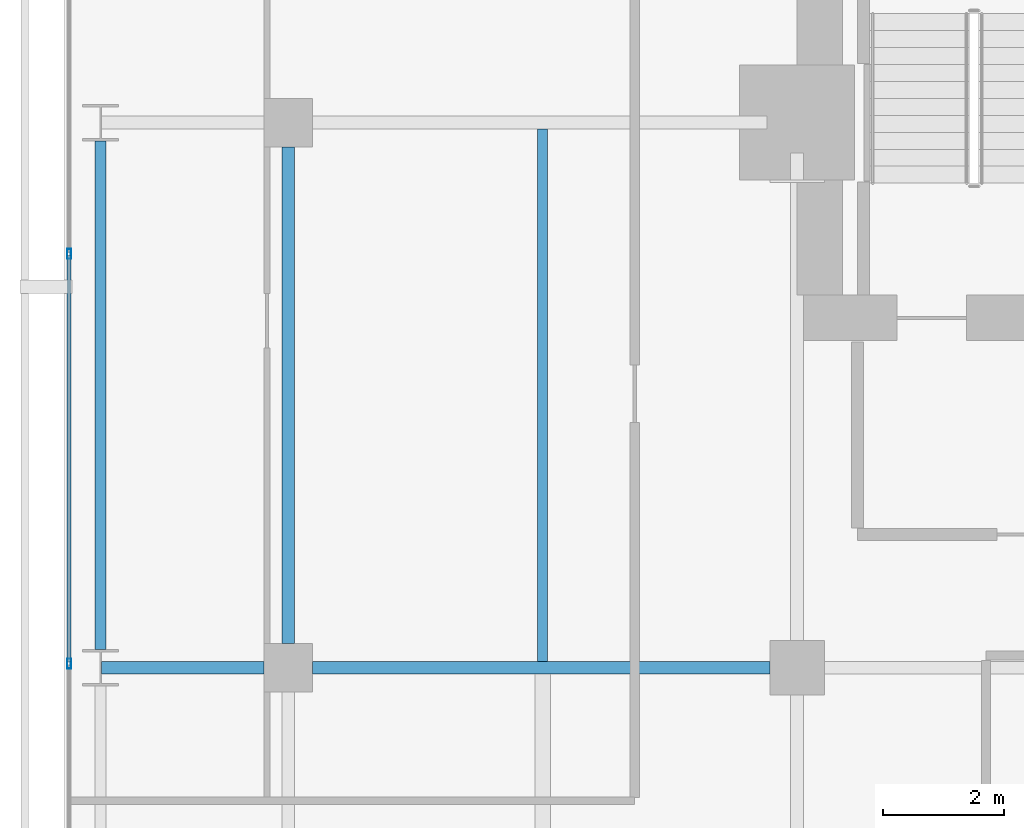
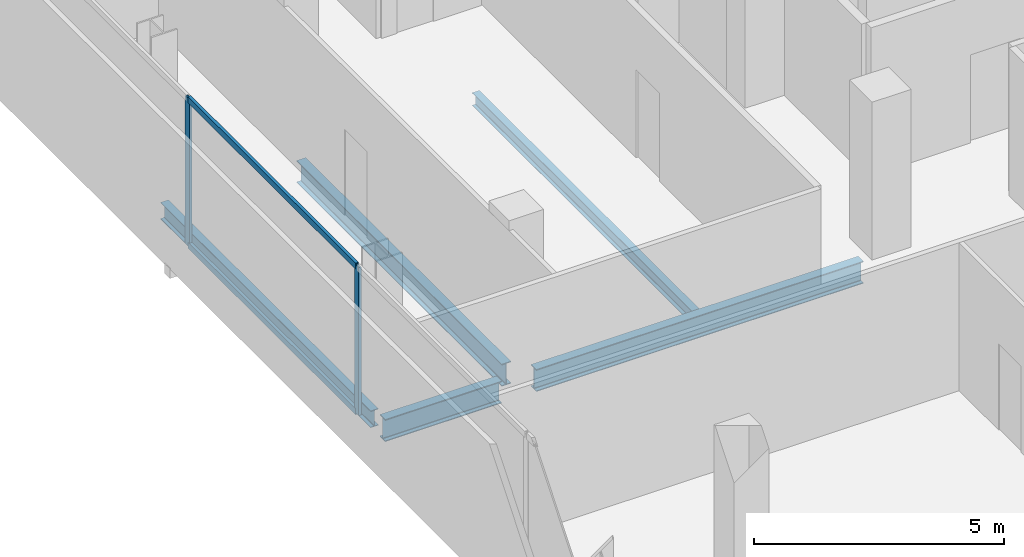
# One storey, part 18 of 33: 5 beams, 4 members, 1 element without a shape of its own.
"""IFC4 building model written with IfcOpenShell, lengths in metres."""

import ifcopenshell
import ifcopenshell.guid

model = None  # the IFC model being written
_history = None  # IfcOwnerHistory: only IFC2X3 demands one
_inside = {}  # id of a spatial element -> (the spatial element, [elements in it])
_under = {}  # id of a project, library or spatial element -> (it, [spatial elements below it])
_declared = {}  # id of a project -> (the project, [libraries it declares])
_typed = {}  # id of a type object -> (the type object, [elements of that type])
_made_of = {}  # id of a material, layer set ... -> (it, [elements and type objects made of it])


def new_model(schema):
    """Start an empty IFC model of exactly this schema.

    Asked for "IFC4X3", IfcOpenShell would pick the latest addendum, in which some entities
    have other attributes; the version numbers below select the first issue.
    IFC2X3 requires an IfcOwnerHistory on every rooted entity: one is made here for all.
    """
    global model, _history
    if schema == "IFC4X3":
        model = ifcopenshell.file(schema_version=(4, 3, 0, 0))
    else:
        model = ifcopenshell.file(schema=schema)
    _inside.clear()
    _under.clear()
    _declared.clear()
    _typed.clear()
    _made_of.clear()
    _history = None
    if model.schema == "IFC2X3":
        org = make("IfcOrganization", Name="unknown")
        user = make(
            "IfcPersonAndOrganization",
            ThePerson=make("IfcPerson", FamilyName="unknown"),
            TheOrganization=org,
        )
        app = make(
            "IfcApplication",
            ApplicationDeveloper=org,
            Version="unknown",
            ApplicationFullName="unknown",
            ApplicationIdentifier="unknown",
        )
        _history = make(
            "IfcOwnerHistory",
            OwningUser=user,
            OwningApplication=app,
            ChangeAction="ADDED",
            CreationDate=0,
        )
    return model


def make(cls, **values):
    """One entity of the class cls with the attributes given. An attribute that is None is left unset."""
    return model.create_entity(
        cls, **{name: value for name, value in values.items() if value is not None}
    )


def rooted(cls, **values):
    """An entity with a GlobalId (a new one), such as an element, a storey or a relation."""
    return make(cls, GlobalId=ifcopenshell.guid.new(), OwnerHistory=_history, **values)


def si_unit(unit_type, name, prefix=None):
    """IfcSIUnit, for example si_unit("LENGTHUNIT", "METRE", prefix="MILLI")."""
    return make("IfcSIUnit", UnitType=unit_type, Prefix=prefix, Name=name)


def assignment(units):
    """IfcUnitAssignment: the units of a project."""
    return None if units is None else make("IfcUnitAssignment", Units=units)


def point(xyz):
    """IfcCartesianPoint."""
    return None if xyz is None else make("IfcCartesianPoint", Coordinates=xyz)


def direction(xyz):
    """IfcDirection."""
    return None if xyz is None else make("IfcDirection", DirectionRatios=xyz)


def frame(location, z_axis=None, x_axis=None):
    """IfcAxis2Placement3D, a coordinate frame: its origin and axes. An axis left out is left unset."""
    return make(
        "IfcAxis2Placement3D",
        Location=point(location),
        Axis=direction(z_axis),
        RefDirection=direction(x_axis),
    )


def frame_2d(location, x_axis=None):
    """IfcAxis2Placement2D, a coordinate frame in the plane: its origin and x axis."""
    return make(
        "IfcAxis2Placement2D", Location=point(location), RefDirection=direction(x_axis)
    )


def origin():
    """The frame at (0, 0, 0) with its axes left unset."""
    return frame((0.0, 0.0, 0.0))


def origin_2d():
    """The frame at (0, 0) in the plane with its x axis left unset."""
    return frame_2d((0.0, 0.0))


def place(relative_to, where):
    """IfcLocalPlacement: puts the frame where relative to a parent placement (None: the world)."""
    return make(
        "IfcLocalPlacement", PlacementRelTo=relative_to, RelativePlacement=where
    )


def context(
    kind, dimensions, precision=None, world=None, true_north=None, identifier=None
):
    """IfcGeometricRepresentationContext, for example the 3D "Model" context."""
    return make(
        "IfcGeometricRepresentationContext",
        ContextIdentifier=identifier,
        ContextType=kind,
        CoordinateSpaceDimension=dimensions,
        Precision=precision,
        WorldCoordinateSystem=world,
        TrueNorth=true_north,
    )


def subcontext(parent, identifier, kind, view, scale=None):
    """IfcGeometricRepresentationSubContext, for example "Body" below "Model"."""
    return make(
        "IfcGeometricRepresentationSubContext",
        ContextIdentifier=identifier,
        ContextType=kind,
        ParentContext=parent,
        TargetScale=scale,
        TargetView=view,
    )


def project(units=None, contexts=None):
    """IfcProject with its units and contexts."""
    return rooted(
        "IfcProject",
        Name="project",
        RepresentationContexts=contexts,
        UnitsInContext=assignment(units),
    )


def spatial(cls, under=None, at=None, **own):
    """A site, building, storey or space (cls), placed at a placement, below another one or the project."""
    s = rooted(cls, ObjectPlacement=at, **own)
    if under is not None:
        _under.setdefault(under.id(), (under, []))[1].append(s)
    return s


def profile(cls, at=None, kind="AREA", **sizes):
    """A parametric profile (cls). Its sizes go by their IFC names, for example OverallWidth=200.0."""
    return make(cls, ProfileType=kind, Position=at, **sizes)


def hollow_rectangle(**sizes):
    """IfcRectangleHollowProfileDef."""
    return profile("IfcRectangleHollowProfileDef", **sizes)


def i_section(**sizes):
    """IfcIShapeProfileDef."""
    return profile("IfcIShapeProfileDef", **sizes)


def extrude(swept, where, along, depth):
    """IfcExtrudedAreaSolid: the profile swept, set in the frame where, extruded along a direction by depth."""
    return make(
        "IfcExtrudedAreaSolid",
        SweptArea=swept,
        Position=where,
        ExtrudedDirection=direction(along),
        Depth=depth,
    )


def shape(context_of_items, identifier, shape_type, items):
    """IfcShapeRepresentation: the items that make up one representation, for example the "Body"."""
    return make(
        "IfcShapeRepresentation",
        ContextOfItems=context_of_items,
        RepresentationIdentifier=identifier,
        RepresentationType=shape_type,
        Items=items,
    )


def material(Name=None, Category=None):
    """IfcMaterial."""
    return make("IfcMaterial", Name=Name, Category=Category)


def layer(
    of_material, thickness, ventilated=None, Name=None, Category=None, Priority=None
):
    """IfcMaterialLayer: one layer of a wall or slab, of a material (None: an air gap)."""
    return make(
        "IfcMaterialLayer",
        Material=of_material,
        LayerThickness=thickness,
        IsVentilated=ventilated,
        Name=Name,
        Category=Category,
        Priority=Priority,
    )


def layer_set(layers, Name=None):
    """IfcMaterialLayerSet."""
    return make("IfcMaterialLayerSet", MaterialLayers=layers, LayerSetName=Name)


def material_profile(
    of_material, cross_section, Name=None, Category=None, Priority=None
):
    """IfcMaterialProfile: a cross section and its material."""
    return make(
        "IfcMaterialProfile",
        Name=Name,
        Material=of_material,
        Profile=cross_section,
        Priority=Priority,
        Category=Category,
    )


def profile_set(profiles, Name=None, composite=None):
    """IfcMaterialProfileSet."""
    return make(
        "IfcMaterialProfileSet",
        Name=Name,
        MaterialProfiles=profiles,
        CompositeProfile=composite,
    )


def made_of(thing, what):
    """Note that an element or type object is made of a material, layer set ...; save() writes the relation."""
    if what is not None:
        _made_of.setdefault(what.id(), (what, []))[1].append(thing)
    return thing


def type_object(cls, material=None, **own):
    """A type object (cls), such as IfcWallType, which elements share."""
    return made_of(rooted(cls, **own), material)


def element(
    cls,
    number,
    at=None,
    inside=None,
    cuts=None,
    type_object=None,
    material=None,
    context=None,
    identifier="Body",
    shape_type=None,
    held_by="IfcProductDefinitionShape",
    body=None,
    shapes=None,
    **own,
):
    """One element of the class cls, such as IfcWall. Its Tag is "e" and its number.

    at: its placement. inside: the storey or other place that contains it. cuts: it is an
    opening in that element (IfcRelVoidsElement). A single representation is given by context,
    identifier, shape_type and body (its items); several are given by shapes. held_by: the class
    of the entity that holds the representations. save() writes the other relations.
    """
    e = rooted(cls, Tag="e%d" % number, ObjectPlacement=at, **own)
    if body is not None:
        shapes = [shape(context, identifier, shape_type, body)]
    if shapes is not None:
        e.Representation = make(held_by, Representations=shapes)
    if inside is not None:
        _inside.setdefault(inside.id(), (inside, []))[1].append(e)
    if cuts is not None:
        rooted(
            "IfcRelVoidsElement", RelatingBuildingElement=cuts, RelatedOpeningElement=e
        )
    if type_object is not None:
        _typed.setdefault(type_object.id(), (type_object, []))[1].append(e)
    return made_of(e, material)


def aggregate(whole, parts):
    """IfcRelAggregates: a whole, such as a stair, and the parts it consists of."""
    return rooted("IfcRelAggregates", RelatingObject=whole, RelatedObjects=parts)


def save(model, path):
    """Write the relations noted so far, then the file.

    IfcRelAggregates (storeys below a building ...), IfcRelContainedInSpatialStructure (elements
    in a storey), IfcRelDefinesByType, IfcRelAssociatesMaterial and IfcRelDeclares: one each for
    every whole, place, type object, material and project.
    """
    for whole, parts in _under.values():
        aggregate(whole, parts)
    for where, things in _inside.values():
        rooted(
            "IfcRelContainedInSpatialStructure",
            RelatedElements=things,
            RelatingStructure=where,
        )
    for kind, things in _typed.values():
        rooted("IfcRelDefinesByType", RelatedObjects=things, RelatingType=kind)
    for what, things in _made_of.values():
        rooted("IfcRelAssociatesMaterial", RelatedObjects=things, RelatingMaterial=what)
    for by, libraries in _declared.values():
        rooted("IfcRelDeclares", RelatingContext=by, RelatedDefinitions=libraries)
    model.write(path)


model = new_model("IFC4")

# Units and contexts
model_context = context("Model", 3, precision=1e-05, world=origin(), true_north=direction((0.0, 1.0)))
body_context = subcontext(model_context, "Body", "Model", "MODEL_VIEW")
ifc_project = project(units=[si_unit("LENGTHUNIT", "METRE"), si_unit("AREAUNIT", "SQUARE_METRE"), si_unit("VOLUMEUNIT", "CUBIC_METRE"), si_unit("PLANEANGLEUNIT", "RADIAN"), si_unit("MASSUNIT", "GRAM", prefix="KILO")], contexts=[model_context])

# Site, building, storey
site_placement = place(None, origin())
site = spatial("IfcSite", under=ifc_project, at=site_placement, CompositionType="ELEMENT")
building_placement = place(site_placement, origin())
building = spatial("IfcBuilding", under=site, at=building_placement, Name="Maruvema Waterfront Hotel and Observation Tower", CompositionType="ELEMENT")
storey_placement = place(building_placement, frame((0.0, 0.0, 204.39990234375)))
storey = spatial("IfcBuildingStorey", under=building, at=storey_placement, Name="L50", CompositionType="ELEMENT", Elevation=204.39990234375)

# Curtain wall, members
ifc_material_1 = material(Name="Anodised bronze aluminium and solar-control low-E IGU", Category="aluminium")
ifc_layer = layer(ifc_material_1, 0.159912109375, Name="Zone 2 Amber Inner Thermal Curtain Wall System CW-03")
ifc_layer_set = layer_set([ifc_layer], Name="Anodised bronze aluminium and solar-control low-E IGU")
curtain_wall_type = type_object("IfcCurtainWallType", Name="Zone 2 Amber Inner Thermal Curtain Wall System CW-03", PredefinedType="USERDEFINED", material=ifc_layer_set)
curtain_wall_placement = place(storey_placement, origin())
curtain_wall = element("IfcCurtainWall", 1, at=curtain_wall_placement, inside=storey, type_object=curtain_wall_type, Name="L50 Curtain Wall CW-L50-W", ObjectType="UNITISED CURTAIN WALL", PredefinedType="USERDEFINED")
ifc_material_2 = material(Name="Anodised architectural bronze aluminium", Category="aluminium")
ifc_material_profile_1 = material_profile(ifc_material_2, hollow_rectangle(XDim=0.070068359375, YDim=0.14990234375, WallThickness=0.00390625, at=origin_2d()), Name="ALU-T70x150")
ifc_profile_set_1 = profile_set([ifc_material_profile_1], Name="Anodised architectural bronze aluminium")
member_type_1 = type_object("IfcMemberType", Name="Curtain Wall Horizontal Transom ALU-T70x150", PredefinedType="USERDEFINED", material=ifc_profile_set_1)
member_1_placement = place(storey_placement, frame((13.179931640625, 42.80322265625, 0.030029296875), z_axis=(0.0, -1.0, 0.0), x_axis=(1.0, 0.0, 0.0)))
member_1 = element("IfcMember", 2, at=member_1_placement, type_object=member_type_1, Name="CW-03 transom 2.1", ObjectType="TRANSOM", PredefinedType="USERDEFINED", context=body_context, shape_type="SweptSolid", body=[
    extrude(hollow_rectangle(XDim=0.070068359375, YDim=0.14990234375, WallThickness=0.00390625, at=origin_2d()), origin(), (0.0, 0.0, 1.0), 6.70654296875),
])
member_2_placement = place(storey_placement, frame((13.179931640625, 42.80322265625, 3.580078125), z_axis=(0.0, -1.0, 0.0), x_axis=(1.0, 0.0, 0.0)))
member_2 = element("IfcMember", 3, at=member_2_placement, type_object=member_type_1, Name="CW-03 transom 2.2", ObjectType="TRANSOM", PredefinedType="USERDEFINED", context=body_context, shape_type="SweptSolid", body=[
    extrude(hollow_rectangle(XDim=0.070068359375, YDim=0.14990234375, WallThickness=0.00390625, at=origin_2d()), origin(), (0.0, 0.0, 1.0), 6.70654296875),
])
ifc_material_3 = material(Name="Anodised architectural bronze aluminium", Category="aluminium")
ifc_material_profile_2 = material_profile(ifc_material_3, hollow_rectangle(XDim=0.06494140625, YDim=0.1650390625, WallThickness=0.00390625, at=origin_2d()), Name="ALU-M65x165")
ifc_profile_set_2 = profile_set([ifc_material_profile_2], Name="Anodised architectural bronze aluminium")
member_type_2 = type_object("IfcMemberType", Name="Curtain Wall Primary Mullion ALU-M65x165", PredefinedType="MULLION", material=ifc_profile_set_2)
member_3_placement = place(storey_placement, frame((13.179931640625, 42.833251953125, 0.0), z_axis=(0.0, 0.0, 1.0), x_axis=(1.0, 0.0, 0.0)))
member_3 = element("IfcMember", 4, at=member_3_placement, type_object=member_type_2, Name="CW-03 mullion 2", PredefinedType="MULLION", context=body_context, shape_type="SweptSolid", body=[
    extrude(hollow_rectangle(XDim=0.06494140625, YDim=0.1650390625, WallThickness=0.00390625, at=origin_2d()), origin(), (0.0, 0.0, 1.0), 3.610107421875),
])
member_4_placement = place(storey_placement, frame((13.179931640625, 36.066650390625, 0.0), z_axis=(0.0, 0.0, 1.0), x_axis=(1.0, 0.0, 0.0)))
member_4 = element("IfcMember", 5, at=member_4_placement, type_object=member_type_2, Name="CW-03 mullion 3", PredefinedType="MULLION", context=body_context, shape_type="SweptSolid", body=[
    extrude(hollow_rectangle(XDim=0.06494140625, YDim=0.1650390625, WallThickness=0.00390625, at=origin_2d()), origin(), (0.0, 0.0, 1.0), 3.610107421875),
])
aggregate(curtain_wall, [member_3, member_4, member_1, member_2])

# Beams
ifc_material_4 = material(Name="Steel ASTM A572 Grade 50", Category="steel")
ifc_material_profile_3 = material_profile(ifc_material_4, i_section(OverallWidth=0.178955078125, OverallDepth=0.409912109375, WebThickness=0.0087890625, FlangeThickness=0.014404296875, FilletRadius=0.014892578125, at=origin_2d()), Name="W410x67.0")
ifc_profile_set_3 = profile_set([ifc_material_profile_3], Name="Steel ASTM A572 Grade 50")
beam_type_1 = type_object("IfcBeamType", Name="Perimeter Spandrel Beam W410x67.0", PredefinedType="SPANDREL", material=ifc_profile_set_3)
beam_1_placement = place(storey_placement, frame((13.699951171875, 36.300048828125, -0.44482421875), z_axis=(0.0, 1.0, 0.0), x_axis=(-1.0, 0.0, 0.0)))
element("IfcBeam", 6, at=beam_1_placement, inside=storey, type_object=beam_type_1, Name="L50 Floor Girder NS-04", PredefinedType="SPANDREL", context=body_context, shape_type="SweptSolid", body=[
    extrude(i_section(OverallWidth=0.178955078125, OverallDepth=0.409912109375, WebThickness=0.0087890625, FlangeThickness=0.014404296875, FilletRadius=0.014892578125, at=origin_2d()), origin(), (0.0, 0.0, 1.0), 8.39990234375),
])
ifc_material_5 = material(Name="Steel ASTM A572 Grade 50", Category="steel")
ifc_material_profile_4 = material_profile(ifc_material_5, i_section(OverallWidth=0.2109375, OverallDepth=0.5390625, WebThickness=0.01171875, FlangeThickness=0.018798828125, FilletRadius=0.014892578125, at=origin_2d()), Name="W530x109.0")
ifc_profile_set_4 = profile_set([ifc_material_profile_4], Name="Steel ASTM A572 Grade 50")
beam_type_2 = type_object("IfcBeamType", Name="Primary Floor Girder W530x109.0", PredefinedType="BEAM", material=ifc_profile_set_4)
beam_2_placement = place(storey_placement, frame((13.71240234375, 36.0, -0.509521484375), z_axis=(1.0, 0.0, 0.0), x_axis=(0.0, 1.0, 0.0)))
element("IfcBeam", 7, at=beam_2_placement, inside=storey, type_object=beam_type_2, Name="L50 Floor Girder EW-23", PredefinedType="BEAM", context=body_context, shape_type="SweptSolid", body=[
    extrude(i_section(OverallWidth=0.2109375, OverallDepth=0.5390625, WebThickness=0.01171875, FlangeThickness=0.018798828125, FilletRadius=0.014892578125, at=origin_2d()), origin(), (0.0, 0.0, 1.0), 2.6875),
])
beam_3_placement = place(storey_placement, frame((17.199951171875, 36.0, -0.509521484375), z_axis=(1.0, 0.0, 0.0), x_axis=(0.0, 1.0, 0.0)))
element("IfcBeam", 8, at=beam_3_placement, inside=storey, type_object=beam_type_2, Name="L50 Floor Girder EW-24", PredefinedType="BEAM", context=body_context, shape_type="SweptSolid", body=[
    extrude(i_section(OverallWidth=0.2109375, OverallDepth=0.5390625, WebThickness=0.01171875, FlangeThickness=0.018798828125, FilletRadius=0.014892578125, at=origin_2d()), origin(), (0.0, 0.0, 1.0), 7.550048828125),
])
beam_4_placement = place(storey_placement, frame((16.800048828125, 36.39990234375, -0.509521484375), z_axis=(0.0, 1.0, 0.0), x_axis=(-1.0, 0.0, 0.0)))
element("IfcBeam", 9, at=beam_4_placement, inside=storey, type_object=beam_type_2, Name="L50 Floor Girder NS-08", PredefinedType="BEAM", context=body_context, shape_type="SweptSolid", body=[
    extrude(i_section(OverallWidth=0.2109375, OverallDepth=0.5390625, WebThickness=0.01171875, FlangeThickness=0.018798828125, FilletRadius=0.014892578125, at=origin_2d()), origin(), (0.0, 0.0, 1.0), 8.2001953125),
])
ifc_material_6 = material(Name="Steel ASTM A572 Grade 50", Category="steel")
ifc_material_profile_5 = material_profile(ifc_material_6, i_section(OverallWidth=0.1669921875, OverallDepth=0.31689453125, WebThickness=0.007568359375, FlangeThickness=0.01318359375, FilletRadius=0.012939453125, at=origin_2d()), Name="W310x52.0")
ifc_profile_set_5 = profile_set([ifc_material_profile_5], Name="Steel ASTM A572 Grade 50")
beam_type_3 = type_object("IfcBeamType", Name="Secondary Floor Joist W310x52.0", PredefinedType="JOIST", material=ifc_profile_set_5)
beam_5_placement = place(storey_placement, frame((21.0, 36.10546875, -0.3984375), z_axis=(0.0, 1.0, 0.0), x_axis=(-1.0, 0.0, 0.0)))
element("IfcBeam", 10, at=beam_5_placement, inside=storey, type_object=beam_type_3, Name="L50 Secondary Floor Joist JS-04", PredefinedType="JOIST", context=body_context, shape_type="SweptSolid", body=[
    extrude(i_section(OverallWidth=0.1669921875, OverallDepth=0.31689453125, WebThickness=0.007568359375, FlangeThickness=0.01318359375, FilletRadius=0.012939453125, at=origin_2d()), origin(), (0.0, 0.0, 1.0), 8.7890625),
])

save(model, "model.ifc")
